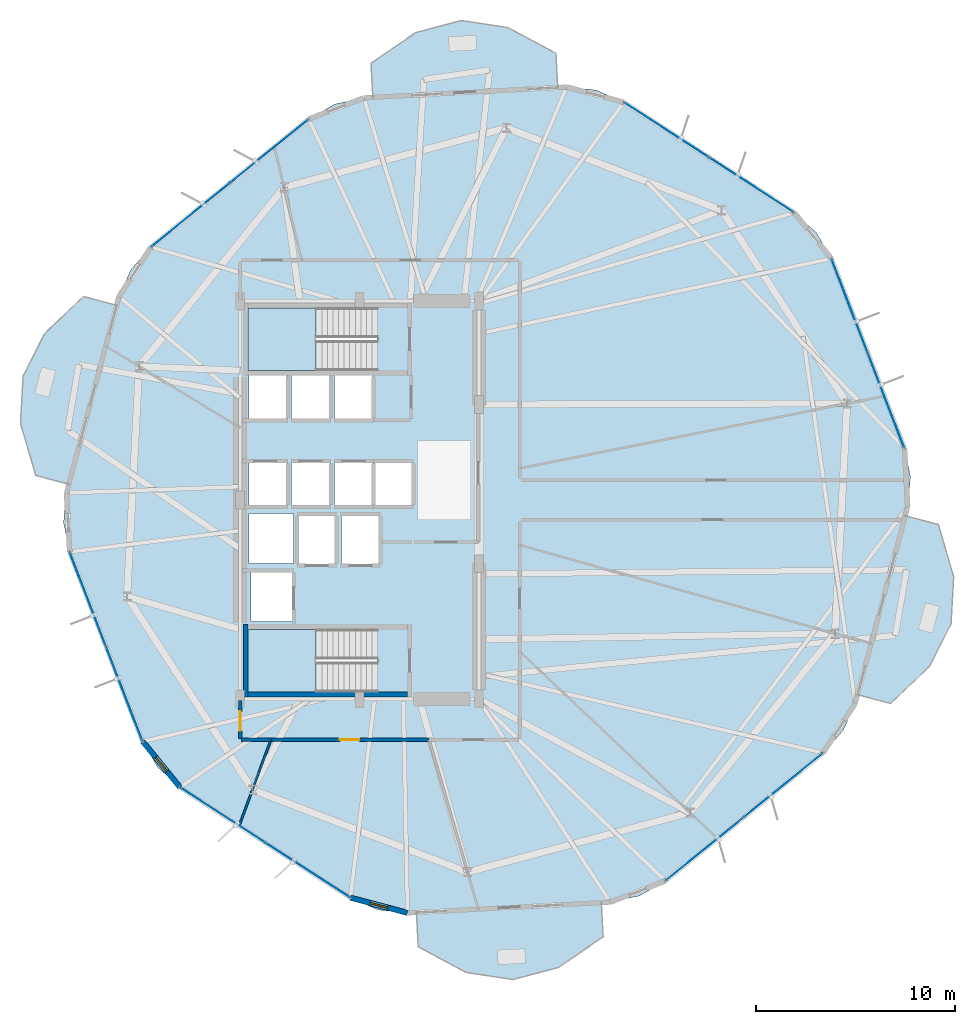
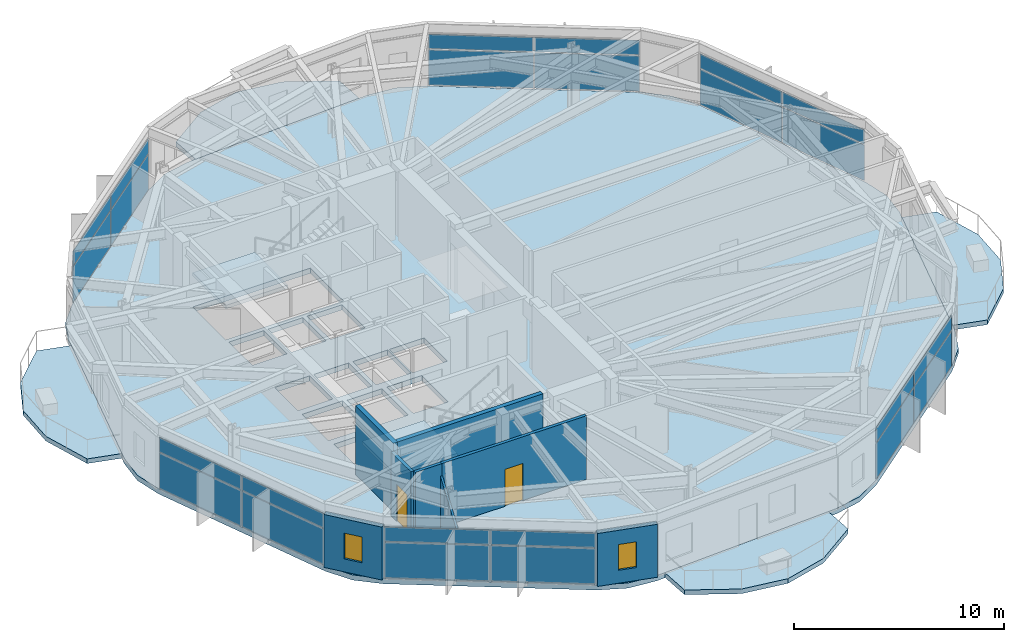
# One storey, part 17 of 23: 24 plates, 8 walls, 7 slabs, 2 doors, 2 windows, 4 openings, 8 elements without a shape of their own.
"""IFC4 building model written with IfcOpenShell, lengths in metres."""

from ifc_helpers import new_model, si_unit, direction, frame, frame_2d, origin, origin_2d, place, context, subcontext, project, spatial, polyline, rectangle, outline, extrude, material, layer, layer_set, type_object, element, fill, aggregate, save


model = new_model("IFC4")

# Units and contexts
model_context = context("Model", 3, precision=1e-05, world=origin(), true_north=direction((0.0, 1.0)))
body_context = subcontext(model_context, "Body", "Model", "MODEL_VIEW")
ifc_project = project(units=[si_unit("LENGTHUNIT", "METRE"), si_unit("AREAUNIT", "SQUARE_METRE"), si_unit("VOLUMEUNIT", "CUBIC_METRE"), si_unit("PLANEANGLEUNIT", "RADIAN"), si_unit("MASSUNIT", "GRAM", prefix="KILO")], contexts=[model_context])

# Site, building, storey
site_placement = place(None, origin())
site = spatial("IfcSite", under=ifc_project, at=site_placement, CompositionType="ELEMENT")
building_placement = place(site_placement, origin())
building = spatial("IfcBuilding", under=site, at=building_placement, Name="Soratama Intermodal Tower", CompositionType="ELEMENT")
storey_placement = place(building_placement, frame((0.0, 0.0, 38.60009765625)))
storey = spatial("IfcBuildingStorey", under=building, at=storey_placement, Name="L08", CompositionType="ELEMENT", Elevation=38.60009765625)

# Curtain wall, plates
ifc_material_1 = material(Name="Double-glazed aluminium curtain wall", Category="aluminium")
ifc_layer_1 = layer(ifc_material_1, 0.159912109375)
ifc_layer_set_1 = layer_set([ifc_layer_1], Name="Double-glazed aluminium curtain wall")
curtain_wall_type = type_object("IfcCurtainWallType", Name="CW-SYS-2", PredefinedType="NOTDEFINED", material=ifc_layer_set_1)
curtain_wall_1_placement = place(storey_placement, origin())
curtain_wall_1 = element("IfcCurtainWall", 1, at=curtain_wall_1_placement, inside=storey, type_object=curtain_wall_type, Name="L08 Faceted Curtain Wall F01", PredefinedType="NOTDEFINED")
ifc_material_2 = material(Name="Low-E laminated double glazing", Category="glass")
ifc_layer_2 = layer(ifc_material_2, 0.031982421875)
ifc_layer_set_2 = layer_set([ifc_layer_2], Name="Low-E laminated double glazing")
plate_type = type_object("IfcPlateType", Name="PT-CWP-2", PredefinedType="CURTAIN_PANEL", material=ifc_layer_set_2)
plate_1_placement = place(storey_placement, frame((65.039794921875, 30.0, 0.059814453125), z_axis=(0.0, 0.0, 1.0), x_axis=(-0.359340997727, 0.93320632625, 0.0)))
plate_1 = element("IfcPlate", 2, at=plate_1_placement, type_object=plate_type, Name="CW-2 panel 1.1", PredefinedType="CURTAIN_PANEL", context=body_context, shape_type="SweptSolid", body=[
    extrude(rectangle(XDim=5.010498046875, YDim=0.028076171875, at=origin_2d()), origin(), (0.0, 0.0, 1.0), 2.06005859375),
])
plate_2_placement = place(storey_placement, frame((65.039794921875, 30.0, 2.1796875), z_axis=(0.0, 0.0, 1.0), x_axis=(-0.359340997727, 0.93320632625, 0.0)))
plate_2 = element("IfcPlate", 3, at=plate_2_placement, type_object=plate_type, Name="CW-2 panel 1.2", PredefinedType="CURTAIN_PANEL", context=body_context, shape_type="SweptSolid", body=[
    extrude(rectangle(XDim=5.010498046875, YDim=0.028076171875, at=origin_2d()), origin(), (0.0, 0.0, 1.0), 0.839111328125),
])
plate_3_placement = place(storey_placement, frame((63.2177734375, 34.73193359375, 0.059814453125), z_axis=(0.0, 0.0, 1.0), x_axis=(-0.359340997727, 0.93320632625, 0.0)))
plate_3 = element("IfcPlate", 4, at=plate_3_placement, type_object=plate_type, Name="CW-2 panel 2.1", PredefinedType="CURTAIN_PANEL", context=body_context, shape_type="SweptSolid", body=[
    extrude(rectangle(XDim=5.010498046875, YDim=0.028076171875, at=origin_2d()), origin(), (0.0, 0.0, 1.0), 2.06005859375),
])
plate_4_placement = place(storey_placement, frame((63.2177734375, 34.73193359375, 2.1796875), z_axis=(0.0, 0.0, 1.0), x_axis=(-0.359340997727, 0.93320632625, 0.0)))
plate_4 = element("IfcPlate", 5, at=plate_4_placement, type_object=plate_type, Name="CW-2 panel 2.2", PredefinedType="CURTAIN_PANEL", context=body_context, shape_type="SweptSolid", body=[
    extrude(rectangle(XDim=5.010498046875, YDim=0.028076171875, at=origin_2d()), origin(), (0.0, 0.0, 1.0), 0.839111328125),
])
aggregate(curtain_wall_1, [plate_1, plate_2, plate_3, plate_4])

curtain_wall_2_placement = place(storey_placement, origin())
curtain_wall_2 = element("IfcCurtainWall", 6, at=curtain_wall_2_placement, inside=storey, type_object=curtain_wall_type, Name="L08 Faceted Curtain Wall F02", PredefinedType="NOTDEFINED")
plate_5_placement = place(storey_placement, frame((58.273681640625, 40.82421875, 0.059814453125), z_axis=(0.0, 0.0, 1.0), x_axis=(-0.839239144273, 0.543762502127, 0.0)))
plate_5 = element("IfcPlate", 7, at=plate_5_placement, type_object=plate_type, Name="CW-2 panel 1.1", PredefinedType="CURTAIN_PANEL", context=body_context, shape_type="SweptSolid", body=[
    extrude(rectangle(XDim=5.010498046875, YDim=0.028076171875, at=origin_2d()), origin(), (0.0, 0.0, 1.0), 2.06005859375),
])
plate_6_placement = place(storey_placement, frame((58.273681640625, 40.82421875, 2.1796875), z_axis=(0.0, 0.0, 1.0), x_axis=(-0.839239144273, 0.543762502127, 0.0)))
plate_6 = element("IfcPlate", 8, at=plate_6_placement, type_object=plate_type, Name="CW-2 panel 1.2", PredefinedType="CURTAIN_PANEL", context=body_context, shape_type="SweptSolid", body=[
    extrude(rectangle(XDim=5.010498046875, YDim=0.028076171875, at=origin_2d()), origin(), (0.0, 0.0, 1.0), 0.839111328125),
])
plate_7_placement = place(storey_placement, frame((54.018310546875, 43.581298828125, 0.059814453125), z_axis=(0.0, 0.0, 1.0), x_axis=(-0.839239144273, 0.543762502127, 0.0)))
plate_7 = element("IfcPlate", 9, at=plate_7_placement, type_object=plate_type, Name="CW-2 panel 2.1", PredefinedType="CURTAIN_PANEL", context=body_context, shape_type="SweptSolid", body=[
    extrude(rectangle(XDim=5.010498046875, YDim=0.028076171875, at=origin_2d()), origin(), (0.0, 0.0, 1.0), 2.06005859375),
])
plate_8_placement = place(storey_placement, frame((54.018310546875, 43.581298828125, 2.1796875), z_axis=(0.0, 0.0, 1.0), x_axis=(-0.839239144273, 0.543762502127, 0.0)))
plate_8 = element("IfcPlate", 10, at=plate_8_placement, type_object=plate_type, Name="CW-2 panel 2.2", PredefinedType="CURTAIN_PANEL", context=body_context, shape_type="SweptSolid", body=[
    extrude(rectangle(XDim=5.010498046875, YDim=0.028076171875, at=origin_2d()), origin(), (0.0, 0.0, 1.0), 0.839111328125),
])
aggregate(curtain_wall_2, [plate_5, plate_6, plate_7, plate_8])

curtain_wall_3_placement = place(storey_placement, origin())
curtain_wall_3 = element("IfcCurtainWall", 11, at=curtain_wall_3_placement, inside=storey, type_object=curtain_wall_type, Name="L08 Faceted Curtain Wall F04", PredefinedType="NOTDEFINED")
plate_9_placement = place(storey_placement, frame((34.052001953125, 42.513916015625, 0.059814453125), z_axis=(0.0, 0.0, 1.0), x_axis=(-0.776483883795, -0.630137110641, 0.0)))
plate_9 = element("IfcPlate", 12, at=plate_9_placement, type_object=plate_type, Name="CW-2 panel 1.1", PredefinedType="CURTAIN_PANEL", context=body_context, shape_type="SweptSolid", body=[
    extrude(rectangle(XDim=5.010498046875, YDim=0.028076171875, at=origin_2d()), origin(), (0.0, 0.0, 1.0), 2.06005859375),
])
plate_10_placement = place(storey_placement, frame((34.052001953125, 42.513916015625, 2.1796875), z_axis=(0.0, 0.0, 1.0), x_axis=(-0.776483883795, -0.630137110641, 0.0)))
plate_10 = element("IfcPlate", 13, at=plate_10_placement, type_object=plate_type, Name="CW-2 panel 1.2", PredefinedType="CURTAIN_PANEL", context=body_context, shape_type="SweptSolid", body=[
    extrude(rectangle(XDim=5.010498046875, YDim=0.028076171875, at=origin_2d()), origin(), (0.0, 0.0, 1.0), 0.839111328125),
])
plate_11_placement = place(storey_placement, frame((30.114990234375, 39.31884765625, 0.059814453125), z_axis=(0.0, 0.0, 1.0), x_axis=(-0.776483883795, -0.630137110641, 0.0)))
plate_11 = element("IfcPlate", 14, at=plate_11_placement, type_object=plate_type, Name="CW-2 panel 2.1", PredefinedType="CURTAIN_PANEL", context=body_context, shape_type="SweptSolid", body=[
    extrude(rectangle(XDim=5.010498046875, YDim=0.028076171875, at=origin_2d()), origin(), (0.0, 0.0, 1.0), 2.06005859375),
])
plate_12_placement = place(storey_placement, frame((30.114990234375, 39.31884765625, 2.1796875), z_axis=(0.0, 0.0, 1.0), x_axis=(-0.776483883795, -0.630137110641, 0.0)))
plate_12 = element("IfcPlate", 15, at=plate_12_placement, type_object=plate_type, Name="CW-2 panel 2.2", PredefinedType="CURTAIN_PANEL", context=body_context, shape_type="SweptSolid", body=[
    extrude(rectangle(XDim=5.010498046875, YDim=0.028076171875, at=origin_2d()), origin(), (0.0, 0.0, 1.0), 0.839111328125),
])
aggregate(curtain_wall_3, [plate_9, plate_10, plate_11, plate_12])

curtain_wall_4_placement = place(storey_placement, origin())
curtain_wall_4 = element("IfcCurtainWall", 16, at=curtain_wall_4_placement, inside=storey, type_object=curtain_wall_type, Name="L08 Faceted Curtain Wall F06", PredefinedType="NOTDEFINED")
plate_13_placement = place(storey_placement, frame((24.960205078125, 20.0, 0.059814453125), z_axis=(0.0, 0.0, 1.0), x_axis=(0.359340997727, -0.93320632625, 0.0)))
plate_13 = element("IfcPlate", 17, at=plate_13_placement, type_object=plate_type, Name="CW-2 panel 1.1", PredefinedType="CURTAIN_PANEL", context=body_context, shape_type="SweptSolid", body=[
    extrude(rectangle(XDim=5.010498046875, YDim=0.028076171875, at=origin_2d()), origin(), (0.0, 0.0, 1.0), 2.06005859375),
])
plate_14_placement = place(storey_placement, frame((24.960205078125, 20.0, 2.1796875), z_axis=(0.0, 0.0, 1.0), x_axis=(0.359340997727, -0.93320632625, 0.0)))
plate_14 = element("IfcPlate", 18, at=plate_14_placement, type_object=plate_type, Name="CW-2 panel 1.2", PredefinedType="CURTAIN_PANEL", context=body_context, shape_type="SweptSolid", body=[
    extrude(rectangle(XDim=5.010498046875, YDim=0.028076171875, at=origin_2d()), origin(), (0.0, 0.0, 1.0), 0.839111328125),
])
plate_15_placement = place(storey_placement, frame((26.7822265625, 15.26806640625, 0.059814453125), z_axis=(0.0, 0.0, 1.0), x_axis=(0.359340997727, -0.93320632625, 0.0)))
plate_15 = element("IfcPlate", 19, at=plate_15_placement, type_object=plate_type, Name="CW-2 panel 2.1", PredefinedType="CURTAIN_PANEL", context=body_context, shape_type="SweptSolid", body=[
    extrude(rectangle(XDim=5.010498046875, YDim=0.028076171875, at=origin_2d()), origin(), (0.0, 0.0, 1.0), 2.06005859375),
])
plate_16_placement = place(storey_placement, frame((26.7822265625, 15.26806640625, 2.1796875), z_axis=(0.0, 0.0, 1.0), x_axis=(0.359340997727, -0.93320632625, 0.0)))
plate_16 = element("IfcPlate", 20, at=plate_16_placement, type_object=plate_type, Name="CW-2 panel 2.2", PredefinedType="CURTAIN_PANEL", context=body_context, shape_type="SweptSolid", body=[
    extrude(rectangle(XDim=5.010498046875, YDim=0.028076171875, at=origin_2d()), origin(), (0.0, 0.0, 1.0), 0.839111328125),
])
aggregate(curtain_wall_4, [plate_13, plate_14, plate_15, plate_16])

curtain_wall_5_placement = place(storey_placement, origin())
curtain_wall_5 = element("IfcCurtainWall", 21, at=curtain_wall_5_placement, inside=storey, type_object=curtain_wall_type, Name="L08 Faceted Curtain Wall F07", PredefinedType="NOTDEFINED")
plate_17_placement = place(storey_placement, frame((31.726318359375, 9.17578125, 0.059814453125), z_axis=(0.0, 0.0, 1.0), x_axis=(0.839239144273, -0.543762502127, 0.0)))
plate_17 = element("IfcPlate", 22, at=plate_17_placement, type_object=plate_type, Name="CW-2 panel 1.1", PredefinedType="CURTAIN_PANEL", context=body_context, shape_type="SweptSolid", body=[
    extrude(rectangle(XDim=5.010498046875, YDim=0.028076171875, at=origin_2d()), origin(), (0.0, 0.0, 1.0), 2.06005859375),
])
plate_18_placement = place(storey_placement, frame((31.726318359375, 9.17578125, 2.1796875), z_axis=(0.0, 0.0, 1.0), x_axis=(0.839239144273, -0.543762502127, 0.0)))
plate_18 = element("IfcPlate", 23, at=plate_18_placement, type_object=plate_type, Name="CW-2 panel 1.2", PredefinedType="CURTAIN_PANEL", context=body_context, shape_type="SweptSolid", body=[
    extrude(rectangle(XDim=5.010498046875, YDim=0.028076171875, at=origin_2d()), origin(), (0.0, 0.0, 1.0), 0.839111328125),
])
plate_19_placement = place(storey_placement, frame((35.981689453125, 6.418701171875, 0.059814453125), z_axis=(0.0, 0.0, 1.0), x_axis=(0.839239144273, -0.543762502127, 0.0)))
plate_19 = element("IfcPlate", 24, at=plate_19_placement, type_object=plate_type, Name="CW-2 panel 2.1", PredefinedType="CURTAIN_PANEL", context=body_context, shape_type="SweptSolid", body=[
    extrude(rectangle(XDim=5.010498046875, YDim=0.028076171875, at=origin_2d()), origin(), (0.0, 0.0, 1.0), 2.06005859375),
])
plate_20_placement = place(storey_placement, frame((35.981689453125, 6.418701171875, 2.1796875), z_axis=(0.0, 0.0, 1.0), x_axis=(0.839239144273, -0.543762502127, 0.0)))
plate_20 = element("IfcPlate", 25, at=plate_20_placement, type_object=plate_type, Name="CW-2 panel 2.2", PredefinedType="CURTAIN_PANEL", context=body_context, shape_type="SweptSolid", body=[
    extrude(rectangle(XDim=5.010498046875, YDim=0.028076171875, at=origin_2d()), origin(), (0.0, 0.0, 1.0), 0.839111328125),
])
aggregate(curtain_wall_5, [plate_17, plate_18, plate_19, plate_20])

curtain_wall_6_placement = place(storey_placement, origin())
curtain_wall_6 = element("IfcCurtainWall", 26, at=curtain_wall_6_placement, inside=storey, type_object=curtain_wall_type, Name="L08 Faceted Curtain Wall F09", PredefinedType="NOTDEFINED")
plate_21_placement = place(storey_placement, frame((55.947998046875, 7.486083984375, 0.059814453125), z_axis=(0.0, 0.0, 1.0), x_axis=(0.776483883795, 0.630137110641, 0.0)))
plate_21 = element("IfcPlate", 27, at=plate_21_placement, type_object=plate_type, Name="CW-2 panel 1.1", PredefinedType="CURTAIN_PANEL", context=body_context, shape_type="SweptSolid", body=[
    extrude(rectangle(XDim=5.010498046875, YDim=0.028076171875, at=origin_2d()), origin(), (0.0, 0.0, 1.0), 2.06005859375),
])
plate_22_placement = place(storey_placement, frame((55.947998046875, 7.486083984375, 2.1796875), z_axis=(0.0, 0.0, 1.0), x_axis=(0.776483883795, 0.630137110641, 0.0)))
plate_22 = element("IfcPlate", 28, at=plate_22_placement, type_object=plate_type, Name="CW-2 panel 1.2", PredefinedType="CURTAIN_PANEL", context=body_context, shape_type="SweptSolid", body=[
    extrude(rectangle(XDim=5.010498046875, YDim=0.028076171875, at=origin_2d()), origin(), (0.0, 0.0, 1.0), 0.839111328125),
])
plate_23_placement = place(storey_placement, frame((59.885009765625, 10.68115234375, 0.059814453125), z_axis=(0.0, 0.0, 1.0), x_axis=(0.776483883795, 0.630137110641, 0.0)))
plate_23 = element("IfcPlate", 29, at=plate_23_placement, type_object=plate_type, Name="CW-2 panel 2.1", PredefinedType="CURTAIN_PANEL", context=body_context, shape_type="SweptSolid", body=[
    extrude(rectangle(XDim=5.010498046875, YDim=0.028076171875, at=origin_2d()), origin(), (0.0, 0.0, 1.0), 2.06005859375),
])
plate_24_placement = place(storey_placement, frame((59.885009765625, 10.68115234375, 2.1796875), z_axis=(0.0, 0.0, 1.0), x_axis=(0.776483883795, 0.630137110641, 0.0)))
plate_24 = element("IfcPlate", 30, at=plate_24_placement, type_object=plate_type, Name="CW-2 panel 2.2", PredefinedType="CURTAIN_PANEL", context=body_context, shape_type="SweptSolid", body=[
    extrude(rectangle(XDim=5.010498046875, YDim=0.028076171875, at=origin_2d()), origin(), (0.0, 0.0, 1.0), 0.839111328125),
])
aggregate(curtain_wall_6, [plate_21, plate_22, plate_23, plate_24])

# Slabs
ifc_material_3 = material(Name="Concrete f'c 42 MPa", Category="concrete")
ifc_layer_3 = layer(ifc_material_3, 0.27001953125)
ifc_layer_set_3 = layer_set([ifc_layer_3], Name="Concrete f'c 42 MPa")
slab_type_1 = type_object("IfcSlabType", Name="SL-EXT-BAL1", PredefinedType="FLOOR", material=ifc_layer_set_3)
slab_1_placement = place(storey_placement, frame((0.0, 0.0, -0.27001953125)))
element("IfcSlab", 31, at=slab_1_placement, inside=storey, type_object=slab_type_1, Name="L08 Planted Balcony East 1", PredefinedType="FLOOR", context=body_context, shape_type="SweptSolid", body=[
    extrude(outline(polyline([(63.606201171875, 15.22216796875), (66.004150390625, 24.208740234375), (67.666015625, 23.765380859375), (68.433837890625, 21.15380859375), (68.302734375, 18.7822265625), (67.23486328125, 16.660400390625), (65.26806640625, 14.778564453125), (63.606201171875, 15.22216796875)])), origin(), (0.0, 0.0, 1.0), 0.27001953125),
])
slab_2_placement = place(storey_placement, frame((0.0, 0.0, -0.27001953125)))
element("IfcSlab", 32, at=slab_2_placement, inside=storey, type_object=slab_type_1, Name="L08 Planted Balcony North 2", PredefinedType="FLOOR", context=body_context, shape_type="SweptSolid", body=[
    extrude(outline(polyline([(48.5498046875, 45.717041015625), (39.261962890625, 45.220458984375), (39.169921875, 46.93798828125), (41.41650390625, 48.475341796875), (43.71240234375, 49.08349609375), (46.060302734375, 48.7236328125), (48.4580078125, 47.4345703125), (48.5498046875, 45.717041015625)])), origin(), (0.0, 0.0, 1.0), 0.27001953125),
])
slab_3_placement = place(storey_placement, frame((0.0, 0.0, -0.27001953125)))
element("IfcSlab", 33, at=slab_3_placement, inside=storey, type_object=slab_type_1, Name="L08 Planted Balcony West 3", PredefinedType="FLOOR", context=body_context, shape_type="SweptSolid", body=[
    extrude(outline(polyline([(26.393798828125, 34.77783203125), (23.995849609375, 25.791259765625), (22.333984375, 26.234619140625), (21.566162109375, 28.84619140625), (21.697265625, 31.2177734375), (22.76513671875, 33.339599609375), (24.73193359375, 35.221435546875), (26.393798828125, 34.77783203125)])), origin(), (0.0, 0.0, 1.0), 0.27001953125),
])
slab_4_placement = place(storey_placement, frame((0.0, 0.0, -0.27001953125)))
element("IfcSlab", 34, at=slab_4_placement, inside=storey, type_object=slab_type_1, Name="L08 Planted Balcony South 4", PredefinedType="FLOOR", context=body_context, shape_type="SweptSolid", body=[
    extrude(outline(polyline([(41.4501953125, 4.282958984375), (50.738037109375, 4.779541015625), (50.830078125, 3.06201171875), (48.58349609375, 1.524658203125), (46.28759765625, 0.91650390625), (43.939697265625, 1.2763671875), (41.5419921875, 2.5654296875), (41.4501953125, 4.282958984375)])), origin(), (0.0, 0.0, 1.0), 0.27001953125),
])

# Stair, slab
ifc_material_4 = material(Name="Concrete f'c 42 MPa", Category="concrete")
stair_type = type_object("IfcStairType", Name="ST-CORE-DOGLEG", PredefinedType="HALF_TURN_STAIR", material=ifc_material_4)
stair_1_placement = place(storey_placement, origin())
stair_1 = element("IfcStair", 35, at=stair_1_placement, inside=storey, type_object=stair_type, Name="L08 ST-1", PredefinedType="HALF_TURN_STAIR")
ifc_material_5 = material(Name="Concrete f'c 42 MPa", Category="concrete")
ifc_layer_4 = layer(ifc_material_5, 0.219970703125)
ifc_layer_set_4 = layer_set([ifc_layer_4], Name="Concrete f'c 42 MPa")
slab_type_2 = type_object("IfcSlabType", Name="SL-STAIR-LAND", PredefinedType="LANDING", material=ifc_layer_set_4)
slab_5_placement = place(storey_placement, frame((0.0, 0.0, 1.7998046875)))
slab_5 = element("IfcSlab", 36, at=slab_5_placement, type_object=slab_type_2, Name="ST-1 landing 1", PredefinedType="LANDING", context=body_context, shape_type="SweptSolid", body=[
    extrude(outline(polyline([(36.419921875, 18.5), (33.0, 18.5), (33.0, 15.35009765625), (36.419921875, 15.35009765625), (36.419921875, 18.5)])), origin(), (0.0, 0.0, 1.0), 0.2001953125),
])
aggregate(stair_1, [slab_5])

stair_2_placement = place(storey_placement, origin())
stair_2 = element("IfcStair", 37, at=stair_2_placement, inside=storey, type_object=stair_type, Name="L08 ST-2", PredefinedType="HALF_TURN_STAIR")
slab_6_placement = place(storey_placement, frame((0.0, 0.0, 1.7998046875)))
slab_6 = element("IfcSlab", 38, at=slab_6_placement, type_object=slab_type_2, Name="ST-2 landing 1", PredefinedType="LANDING", context=body_context, shape_type="SweptSolid", body=[
    extrude(outline(polyline([(36.419921875, 34.64990234375), (33.0, 34.64990234375), (33.0, 31.5), (36.419921875, 31.5), (36.419921875, 34.64990234375)])), origin(), (0.0, 0.0, 1.0), 0.2001953125),
])
aggregate(stair_2, [slab_6])

# Slab
ifc_material_6 = material(Name="Concrete f'c 42 MPa", Category="concrete")
ifc_layer_5 = layer(ifc_material_6, 0.280029296875)
ifc_layer_set_5 = layer_set([ifc_layer_5], Name="Concrete f'c 42 MPa")
slab_type_3 = type_object("IfcSlabType", Name="SL-TWR-280", PredefinedType="FLOOR", material=ifc_layer_set_5)
slab_7_placement = place(storey_placement, frame((0.0, 0.0, -0.300048828125)))
element("IfcSlab", 39, at=slab_7_placement, inside=storey, type_object=slab_type_3, Name="L08 Structural Floor Slab", PredefinedType="FLOOR", context=body_context, shape_type="SweptSolid", body=[
    extrude(outline(polyline([(66.1201171875, 24.6435546875), (66.275390625, 26.13720703125), (65.961669921875, 27.60595703125), (62.2958984375, 37.125732421875), (61.543701171875, 38.425537109375), (60.426513671875, 39.42919921875), (51.865478515625, 44.976318359375), (50.492919921875, 45.585693359375), (48.9990234375, 45.7412109375), (38.8125, 45.196533203125), (37.34375, 44.8828125), (36.0439453125, 44.130615234375), (28.123046875, 37.702392578125), (27.119140625, 36.585205078125), (26.510009765625, 35.212646484375), (23.8798828125, 25.3564453125), (23.724609375, 23.86279296875), (24.038330078125, 22.39404296875), (27.7041015625, 12.874267578125), (28.456298828125, 11.574462890625), (29.573486328125, 10.57080078125), (38.134521484375, 5.023681640625), (39.507080078125, 4.414306640625), (41.0009765625, 4.2587890625), (51.1875, 4.803466796875), (52.65625, 5.1171875), (53.9560546875, 5.869384765625), (61.876953125, 12.297607421875), (62.880859375, 13.414794921875), (63.489990234375, 14.787353515625), (66.1201171875, 24.6435546875)]), holes=[polyline([(33.0, 18.5), (33.0, 15.35009765625), (39.47509765625, 15.35009765625), (39.47509765625, 18.5), (33.0, 18.5)]), polyline([(35.260009765625, 18.889892578125), (35.260009765625, 21.409912109375), (33.139892578125, 21.409912109375), (33.139892578125, 18.889892578125), (35.260009765625, 18.889892578125)]), polyline([(33.050048828125, 21.800048828125), (35.280029296875, 21.800048828125), (35.280029296875, 24.320068359375), (33.050048828125, 24.320068359375), (33.050048828125, 21.800048828125)]), polyline([(34.9599609375, 26.909912109375), (33.0400390625, 26.909912109375), (33.0400390625, 24.68994140625), (34.9599609375, 24.68994140625), (34.9599609375, 26.909912109375)]), polyline([(37.110107421875, 24.68994140625), (37.110107421875, 26.909912109375), (35.18994140625, 26.909912109375), (35.18994140625, 24.68994140625), (37.110107421875, 24.68994140625)]), polyline([(34.9599609375, 29.0400390625), (34.9599609375, 31.260009765625), (33.0400390625, 31.260009765625), (33.0400390625, 29.0400390625), (34.9599609375, 29.0400390625)]), polyline([(37.110107421875, 31.260009765625), (35.18994140625, 31.260009765625), (35.18994140625, 29.0400390625), (37.110107421875, 29.0400390625), (37.110107421875, 31.260009765625)]), polyline([(37.409912109375, 21.739990234375), (37.409912109375, 24.260009765625), (35.489990234375, 24.260009765625), (35.489990234375, 21.739990234375), (37.409912109375, 21.739990234375)]), polyline([(39.610107421875, 21.739990234375), (39.610107421875, 24.260009765625), (37.68994140625, 24.260009765625), (37.68994140625, 21.739990234375), (39.610107421875, 21.739990234375)]), polyline([(39.260009765625, 24.68994140625), (39.260009765625, 26.909912109375), (37.340087890625, 26.909912109375), (37.340087890625, 24.68994140625), (39.260009765625, 24.68994140625)]), polyline([(41.260009765625, 24.68994140625), (41.260009765625, 26.909912109375), (39.340087890625, 26.909912109375), (39.340087890625, 24.68994140625), (41.260009765625, 24.68994140625)]), polyline([(39.260009765625, 29.0400390625), (39.260009765625, 31.260009765625), (37.340087890625, 31.260009765625), (37.340087890625, 29.0400390625), (39.260009765625, 29.0400390625)]), polyline([(39.47509765625, 34.64990234375), (33.0, 34.64990234375), (33.0, 31.5), (39.47509765625, 31.5), (39.47509765625, 34.64990234375)])]), origin(), (0.0, 0.0, 1.0), 0.300048828125),
])

# Wall, opening, window
ifc_material_7 = material(Name="Concrete f'c 42 MPa", Category="concrete")
ifc_layer_6 = layer(ifc_material_7, 0.27001953125)
ifc_layer_set_6 = layer_set([ifc_layer_6], Name="Concrete f'c 42 MPa")
wall_type_1 = type_object("IfcWallType", Name="EW-CRN-270", PredefinedType="SOLIDWALL", material=ifc_layer_set_6)
wall_1_placement = place(storey_placement, frame((27.7041015625, 12.874267578125, 0.0), z_axis=(0.0, 0.0, 1.0), x_axis=(0.630149473082, -0.776473851185, 0.0)))
wall_1 = element("IfcWall", 40, at=wall_1_placement, inside=storey, type_object=wall_type_1, Name="L08 Corner Closure Wall 06", PredefinedType="SOLIDWALL", context=body_context, shape_type="SweptSolid", body=[
    extrude(rectangle(XDim=2.966552734375, YDim=0.27001953125, at=frame_2d((1.4833984375, 0.0))), origin(), (0.0, 0.0, 1.0), 3.078857421875),
])
opening_1_placement = place(wall_1_placement, frame((1.033203125, 0.0, 0.75)))
opening_1 = element("IfcOpeningElement", 41, at=opening_1_placement, cuts=wall_1, Name="Opening WN-6", PredefinedType="OPENING", context=body_context, shape_type="SweptSolid", body=[
    extrude(rectangle(XDim=0.89990234375, YDim=1.5, at=frame_2d((0.449951171875, 0.75))), frame((0.0, 0.14501953125, 0.0), z_axis=(0.0, -1.0, 0.0), x_axis=(1.0, 0.0, 0.0)), (0.0, 0.0, 1.0), 0.2900390625),
])
ifc_material_8 = material(Name="Double-glazed aluminium window", Category="aluminium")
window_type = type_object("IfcWindowType", Name="WN-FAC-900", PartitioningType="SINGLE_PANEL", PredefinedType="WINDOW", material=ifc_material_8)
window_1_placement = place(opening_1_placement, origin())
window_1 = element("IfcWindow", 42, at=window_1_placement, inside=storey, type_object=window_type, Name="L08 Corner Window 06", OverallHeight=1.5, OverallWidth=0.89990234375, PartitioningType="SINGLE_PANEL", PredefinedType="WINDOW", context=body_context, shape_type="SweptSolid", body=[
    extrude(rectangle(XDim=0.89990234375, YDim=1.5, at=frame_2d((0.449951171875, 0.75))), frame((0.0, 0.030029296875, 0.0), z_axis=(0.0, -1.0, 0.0), x_axis=(1.0, 0.0, 0.0)), (0.0, 0.0, 1.0), 0.06005859375),
])
fill(opening_1, window_1)

wall_2_placement = place(storey_placement, frame((38.134521484375, 5.023681640625, 0.0), z_axis=(0.0, 0.0, 1.0), x_axis=(0.966192585346, -0.257821426615, 0.0)))
wall_2 = element("IfcWall", 43, at=wall_2_placement, inside=storey, type_object=wall_type_1, Name="L08 Corner Closure Wall 07", PredefinedType="SOLIDWALL", context=body_context, shape_type="SweptSolid", body=[
    extrude(rectangle(XDim=2.966796875, YDim=0.27001953125, at=frame_2d((1.4833984375, 0.0))), origin(), (0.0, 0.0, 1.0), 3.078857421875),
])
opening_2_placement = place(wall_2_placement, frame((1.033203125, 0.0, 0.75)))
opening_2 = element("IfcOpeningElement", 44, at=opening_2_placement, cuts=wall_2, Name="Opening WN-6", PredefinedType="OPENING", context=body_context, shape_type="SweptSolid", body=[
    extrude(rectangle(XDim=0.89990234375, YDim=1.5, at=frame_2d((0.449951171875, 0.75))), frame((0.0, 0.14501953125, 0.0), z_axis=(0.0, -1.0, 0.0), x_axis=(1.0, 0.0, 0.0)), (0.0, 0.0, 1.0), 0.2900390625),
])
window_2_placement = place(opening_2_placement, origin())
window_2 = element("IfcWindow", 45, at=window_2_placement, inside=storey, type_object=window_type, Name="L08 Corner Window 07", OverallHeight=1.5, OverallWidth=0.89990234375, PartitioningType="SINGLE_PANEL", PredefinedType="WINDOW", context=body_context, shape_type="SweptSolid", body=[
    extrude(rectangle(XDim=0.89990234375, YDim=1.5, at=frame_2d((0.449951171875, 0.75))), frame((0.0, 0.030029296875, 0.0), z_axis=(0.0, -1.0, 0.0), x_axis=(1.0, 0.0, 0.0)), (0.0, 0.0, 1.0), 0.06005859375),
])
fill(opening_2, window_2)

# Wall, opening, door
ifc_material_9 = material(Name="Fire-rated gypsum stud partition", Category="concrete")
ifc_layer_7 = layer(ifc_material_9, 0.169921875)
ifc_layer_set_7 = layer_set([ifc_layer_7], Name="Fire-rated gypsum stud partition")
wall_type_2 = type_object("IfcWallType", Name="IW-PART-R170", PredefinedType="PARTITIONING", material=ifc_layer_set_7)
wall_3_placement = place(storey_placement, frame((42.093994140625, 12.949951171875, 0.0), z_axis=(0.0, 0.0, 1.0), x_axis=(-1.0, 0.0, 0.0)))
wall_3 = element("IfcWall", 46, at=wall_3_placement, inside=storey, type_object=wall_type_2, Name="L08 Partition W-L08-TP009", PredefinedType="PARTITIONING", context=body_context, shape_type="SweptSolid", body=[
    extrude(rectangle(XDim=7.950927734375, YDim=0.169921875, at=frame_2d((3.9755859375, 0.0))), origin(), (0.0, 0.0, 1.0), 3.699951171875),
])
opening_3_placement = place(wall_3_placement, frame((3.5009765625, 0.0, 0.0)))
opening_3 = element("IfcOpeningElement", 47, at=opening_3_placement, cuts=wall_3, Name="Opening ID-5", PredefinedType="OPENING", context=body_context, shape_type="SweptSolid", body=[
    extrude(rectangle(XDim=0.97998046875, YDim=2.14990234375, at=frame_2d((0.489990234375, 1.074951171875))), frame((0.0, 0.094970703125, 0.0), z_axis=(0.0, -1.0, 0.0), x_axis=(1.0, 0.0, 0.0)), (0.0, 0.0, 1.0), 0.18994140625),
])
ifc_material_10 = material(Name="Solid hardwood acoustic door", Category="wood")
door_type = type_object("IfcDoorType", Name="DR-OFF-980", OperationType="NOTDEFINED", PredefinedType="DOOR", material=ifc_material_10)
door_1_placement = place(opening_3_placement, origin())
door_1 = element("IfcDoor", 48, at=door_1_placement, inside=storey, type_object=door_type, Name="L08 Door D-L08-TP004", OperationType="SINGLE_SWING_LEFT", OverallHeight=2.14990234375, OverallWidth=0.97998046875, PredefinedType="DOOR", context=body_context, shape_type="SweptSolid", body=[
    extrude(rectangle(XDim=0.97998046875, YDim=2.14990234375, at=frame_2d((0.489990234375, 1.074951171875))), frame((0.0, 0.02490234375, 0.0), z_axis=(0.0, -1.0, 0.0), x_axis=(1.0, 0.0, 0.0)), (0.0, 0.0, 1.0), 0.050048828125),
])
fill(opening_3, door_1)

wall_4_placement = place(storey_placement, frame((32.60009765625, 13.02001953125, 0.0), z_axis=(0.0, 0.0, 1.0), x_axis=(0.0, 1.0, 0.0)))
wall_4 = element("IfcWall", 49, at=wall_4_placement, inside=storey, type_object=wall_type_2, Name="L08 Partition W-L08-TP020", PredefinedType="PARTITIONING", context=body_context, shape_type="SweptSolid", body=[
    extrude(rectangle(XDim=1.909912109375, YDim=0.169921875, at=frame_2d((0.955078125, 0.0))), origin(), (0.0, 0.0, 1.0), 3.699951171875),
])
opening_4_placement = place(wall_4_placement, frame((0.384033203125, 0.0, 0.0)))
opening_4 = element("IfcOpeningElement", 50, at=opening_4_placement, cuts=wall_4, Name="Opening ID-5", PredefinedType="OPENING", context=body_context, shape_type="SweptSolid", body=[
    extrude(rectangle(XDim=0.97998046875, YDim=2.14990234375, at=frame_2d((0.489990234375, 1.074951171875))), frame((0.0, 0.094970703125, 0.0), z_axis=(0.0, -1.0, 0.0), x_axis=(1.0, 0.0, 0.0)), (0.0, 0.0, 1.0), 0.18994140625),
])
door_2_placement = place(opening_4_placement, origin())
door_2 = element("IfcDoor", 51, at=door_2_placement, inside=storey, type_object=door_type, Name="L08 Door D-L08-TP011", OperationType="SINGLE_SWING_RIGHT", OverallHeight=2.14990234375, OverallWidth=0.97998046875, PredefinedType="DOOR", context=body_context, shape_type="SweptSolid", body=[
    extrude(rectangle(XDim=0.97998046875, YDim=2.14990234375, at=frame_2d((0.489990234375, 1.074951171875))), frame((0.0, 0.02490234375, 0.0), z_axis=(0.0, -1.0, 0.0), x_axis=(1.0, 0.0, 0.0)), (0.0, 0.0, 1.0), 0.050048828125),
])
fill(opening_4, door_2)

# Walls
wall_5_placement = place(storey_placement, frame((34.14306640625, 12.949951171875, 0.0), z_axis=(0.0, 0.0, 1.0), x_axis=(-1.0, 0.0, 0.0)))
element("IfcWall", 52, at=wall_5_placement, inside=storey, type_object=wall_type_2, Name="L08 Partition W-L08-TP024", PredefinedType="PARTITIONING", context=body_context, shape_type="SweptSolid", body=[
    extrude(rectangle(XDim=1.47314453125, YDim=0.169921875, at=frame_2d((0.736572265625, 0.0))), origin(), (0.0, 0.0, 1.0), 3.699951171875),
])
ifc_material_11 = material(Name="Fire-rated gypsum stud partition", Category="concrete")
ifc_layer_8 = layer(ifc_material_11, 0.110107421875)
ifc_layer_set_8 = layer_set([ifc_layer_8], Name="Fire-rated gypsum stud partition")
wall_type_3 = type_object("IfcWallType", Name="IW-PART-S110", PredefinedType="PARTITIONING", material=ifc_layer_set_8)
wall_6_placement = place(storey_placement, frame((34.14306640625, 12.949951171875, 0.0), z_axis=(0.0, 0.0, 1.0), x_axis=(-0.346838221827, -0.937924969217, 0.0)))
element("IfcWall", 53, at=wall_6_placement, inside=storey, type_object=wall_type_3, Name="L08 Partition W-L08-TP014", PredefinedType="PARTITIONING", context=body_context, shape_type="SweptSolid", body=[
    extrude(rectangle(XDim=4.593017578125, YDim=0.110107421875, at=frame_2d((2.29638671875, 0.0))), origin(), (0.0, 0.0, 1.0), 2.994873046875),
])
ifc_material_12 = material(Name="Concrete f'c 56 MPa", Category="concrete")
ifc_layer_9 = layer(ifc_material_12, 0.239990234375)
ifc_layer_set_9 = layer_set([ifc_layer_9], Name="Concrete f'c 56 MPa")
wall_type_4 = type_object("IfcWallType", Name="SW-STAIR-240", PredefinedType="SHEAR", material=ifc_layer_set_9)
wall_7_placement = place(storey_placement, frame((32.8798828125, 15.110107421875, 0.0), z_axis=(0.0, 0.0, 1.0), x_axis=(0.0, 1.0, 0.0)))
element("IfcWall", 54, at=wall_7_placement, inside=storey, type_object=wall_type_4, Name="L08 ST-1 Shaft Shear Wall W", PredefinedType="SHEAR", context=body_context, shape_type="SweptSolid", body=[
    extrude(rectangle(XDim=3.6298828125, YDim=0.239990234375, at=frame_2d((1.81494140625, 0.0))), origin(), (0.0, 0.0, 1.0), 4.0),
])
wall_8_placement = place(storey_placement, frame((33.0, 15.22998046875, 0.0), z_axis=(0.0, 0.0, 1.0), x_axis=(1.0, 0.0, 0.0)))
element("IfcWall", 55, at=wall_8_placement, inside=storey, type_object=wall_type_4, Name="L08 ST-1 Shaft Shear Wall S", PredefinedType="SHEAR", context=body_context, shape_type="SweptSolid", body=[
    extrude(rectangle(XDim=8.0, YDim=0.239990234375, at=frame_2d((4.0, 0.0))), origin(), (0.0, 0.0, 1.0), 4.0),
])

save(model, "model.ifc")
